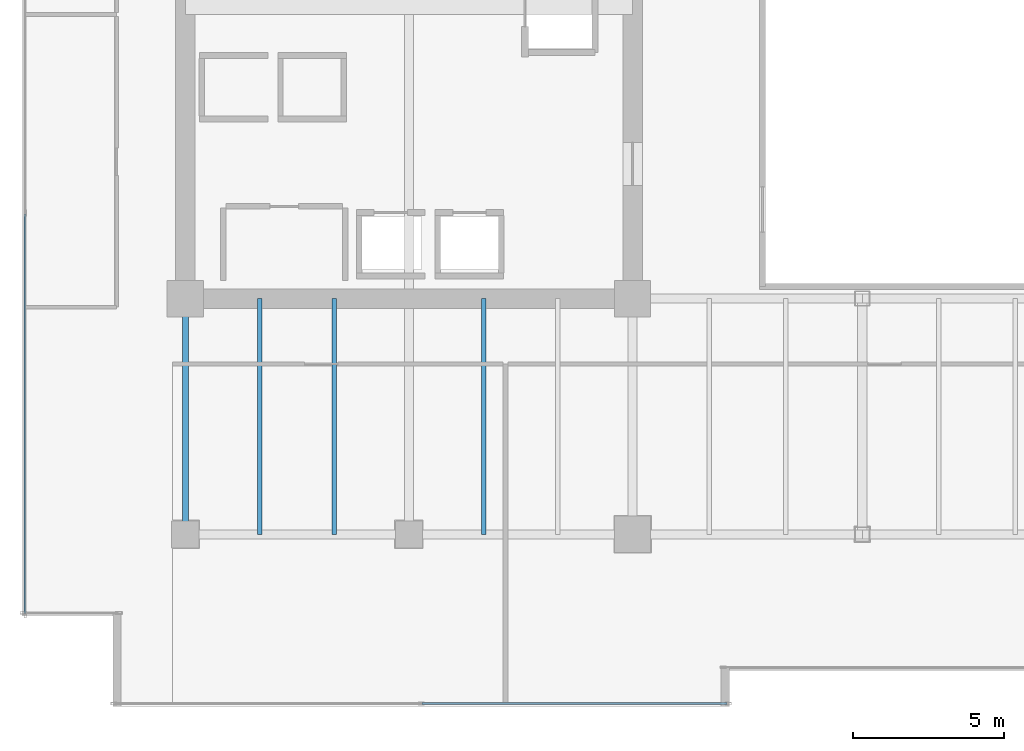
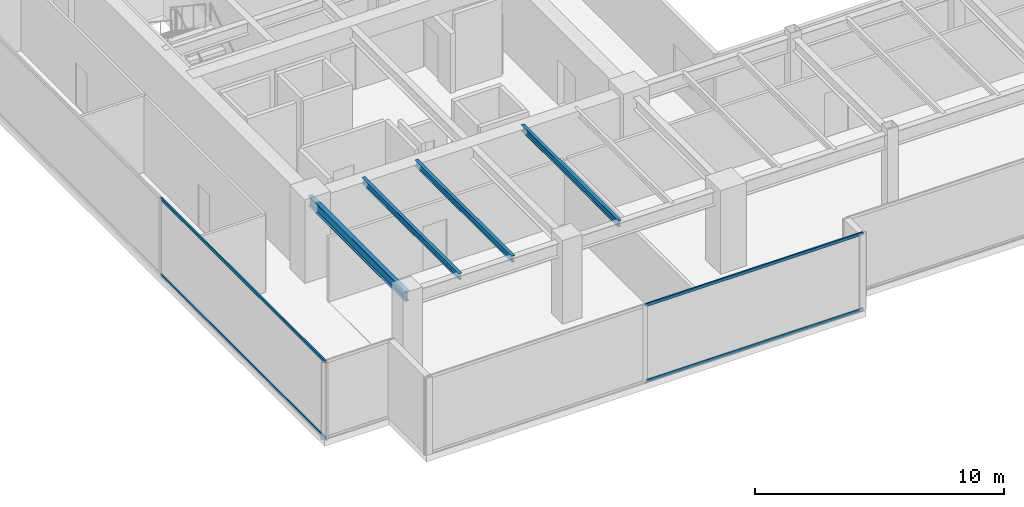
# One storey, part 3 of 33: 4 beams, 4 members, 2 elements without a shape of their own.
"""IFC4 building model written with IfcOpenShell, lengths in metres."""

from ifc_helpers import new_model, si_unit, direction, frame, origin, origin_2d, place, context, subcontext, project, spatial, hollow_rectangle, i_section, extrude, source, transform, mapped, material, layer, layer_set, material_profile, profile_set, type_object, type_shapes, element, aggregate, save


model = new_model("IFC4")

# Units and contexts
model_context = context("Model", 3, precision=1e-05, world=origin(), true_north=direction((0.0, 1.0)))
body_context = subcontext(model_context, "Body", "Model", "MODEL_VIEW")
ifc_project = project(units=[si_unit("LENGTHUNIT", "METRE"), si_unit("AREAUNIT", "SQUARE_METRE"), si_unit("VOLUMEUNIT", "CUBIC_METRE"), si_unit("PLANEANGLEUNIT", "RADIAN"), si_unit("MASSUNIT", "GRAM", prefix="KILO")], contexts=[model_context])

# Site, building, storey
site_placement = place(None, origin())
site = spatial("IfcSite", under=ifc_project, at=site_placement, CompositionType="ELEMENT")
building_placement = place(site_placement, origin())
building = spatial("IfcBuilding", under=site, at=building_placement, Name="Haelvirn Gate Laboratories", CompositionType="ELEMENT")
storey_placement = place(building_placement, frame((0.0, 0.0, 166.60009765625)))
storey = spatial("IfcBuildingStorey", under=building, at=storey_placement, Name="L40", CompositionType="ELEMENT", Elevation=166.60009765625)

# Beams
ifc_material_1 = material(Name="Steel SM355", Category="steel")
ifc_material_profile_1 = material_profile(ifc_material_1, i_section(OverallWidth=0.199951171875, OverallDepth=0.5, WebThickness=0.010009765625, FlangeThickness=0.01611328125, at=origin_2d()), Name="H-500x200x10x16")
ifc_profile_set_1 = profile_set([ifc_material_profile_1], Name="Steel SM355")
beam_type_1 = type_object("IfcBeamType", Name="BM-SP-500", PredefinedType="SPANDREL", material=ifc_profile_set_1)
shared_shape_1 = source(origin(), body_context, "Body", "SweptSolid", [
    extrude(i_section(OverallWidth=0.199951171875, OverallDepth=0.5, WebThickness=0.010009765625, FlangeThickness=0.01611328125, at=origin_2d()), origin(), (0.0, 0.0, 1.0), 7.800048828125),
])
type_shapes(beam_type_1, [shared_shape_1])
beam_placement = place(storey_placement, frame((7.39990234375, 7.0, 3.539794921875), z_axis=(0.0, 1.0, 0.0), x_axis=(-1.0, 0.0, 0.0)))
element("IfcBeam", 1, at=beam_placement, inside=storey, type_object=beam_type_1, Name="L40 Perimeter Spandrel X7.4 (7.0-14.8)", PredefinedType="SPANDREL", context=body_context, shape_type="MappedRepresentation", body=[
    mapped(shared_shape_1, transform((0.0, 0.0, 0.0), scale=1.0)),
])
ifc_material_profile_2 = material_profile(ifc_material_1, i_section(OverallWidth=0.14990234375, OverallDepth=0.300048828125, WebThickness=0.006591796875, FlangeThickness=0.009033203125, at=origin_2d()), Name="H-300x150x6.5x9")
ifc_profile_set_2 = profile_set([ifc_material_profile_2], Name="Steel SM355")
beam_type_2 = type_object("IfcBeamType", Name="BM-J-300", PredefinedType="JOIST", material=ifc_profile_set_2)
shared_shape_2 = source(origin(), body_context, "Body", "SweptSolid", [
    extrude(i_section(OverallWidth=0.14990234375, OverallDepth=0.300048828125, WebThickness=0.006591796875, FlangeThickness=0.009033203125, at=origin_2d()), origin(), (0.0, 0.0, 1.0), 7.800048828125),
])
type_shapes(beam_type_2, [shared_shape_2])
for number, where, z_axis, x_axis, name in (
    (2, (9.8701171875, 7.0, 3.639892578125), (0.0, 1.0, 0.0), (-1.0, 0.0, 0.0), "L40 Composite Lab Joist South X9.87"),
    (3, (12.330078125, 7.0, 3.639892578125), (0.0, 1.0, 0.0), (-1.0, 0.0, 0.0), "L40 Composite Lab Joist South X12.33"),
    (4, (17.27001953125, 7.0, 3.639892578125), (0.0, 1.0, 0.0), (-1.0, 0.0, 0.0), "L40 Composite Lab Joist South X17.27"),
):
    element("IfcBeam", number, at=place(storey_placement, frame(where, z_axis=z_axis, x_axis=x_axis)), inside=storey, type_object=beam_type_2, Name=name, PredefinedType="JOIST", context=body_context, shape_type="MappedRepresentation", body=[
        mapped(shared_shape_2, transform((0.0, 0.0, 0.0), scale=1.0)),
    ])

# Curtain wall, members
ifc_material_2 = material(Name="Anodised bronze unitised aluminium & triple low-E glass", Category="aluminium")
ifc_layer = layer(ifc_material_2, 0.179931640625, Name="CW-SYS-3")
ifc_layer_set = layer_set([ifc_layer], Name="Anodised bronze unitised aluminium & triple low-E glass")
curtain_wall_type = type_object("IfcCurtainWallType", Name="CW-SYS-3", PredefinedType="NOTDEFINED", material=ifc_layer_set)
curtain_wall_1_placement = place(storey_placement, origin())
curtain_wall_1 = element("IfcCurtainWall", 5, at=curtain_wall_1_placement, inside=storey, type_object=curtain_wall_type, Name="L40 Unitised Curtain Wall CW-L40-P0-E00-1", PredefinedType="NOTDEFINED")
ifc_material_3 = material(Name="Extruded aluminium 6063-T6 (anodised bronze)", Category="aluminium")
ifc_material_profile_3 = material_profile(ifc_material_3, hollow_rectangle(XDim=0.06494140625, YDim=0.139892578125, WallThickness=0.00390625, at=origin_2d()), Name="CWT-140x65x4")
ifc_profile_set_3 = profile_set([ifc_material_profile_3], Name="Extruded aluminium 6063-T6 (anodised bronze)")
member_type = type_object("IfcMemberType", Name="CWT-T140", PredefinedType="USERDEFINED", material=ifc_profile_set_3)
shared_shape_3 = source(origin(), body_context, "Body", "SweptSolid", [
    extrude(hollow_rectangle(XDim=0.06494140625, YDim=0.139892578125, WallThickness=0.00390625, at=origin_2d()), origin(), (0.0, 0.0, 1.0), 10.08740234375),
])
member_1_placement = place(storey_placement, frame((15.237548828125, 1.39990234375, 0.032470703125), z_axis=(1.0, 0.0, 0.0), x_axis=(0.0, 1.0, 0.0)))
member_1 = element("IfcMember", 6, at=member_1_placement, type_object=member_type, Name="CW3 transom 2.1", ObjectType="TRANSOM", PredefinedType="USERDEFINED", context=body_context, shape_type="MappedRepresentation", body=[
    mapped(shared_shape_3, transform((0.0, 0.0, 0.0), scale=1.0)),
])
member_2_placement = place(storey_placement, frame((15.237548828125, 1.39990234375, 3.75732421875), z_axis=(1.0, 0.0, 0.0), x_axis=(0.0, 1.0, 0.0)))
member_2 = element("IfcMember", 7, at=member_2_placement, type_object=member_type, Name="CW3 transom 2.2", ObjectType="TRANSOM", PredefinedType="USERDEFINED", context=body_context, shape_type="MappedRepresentation", body=[
    mapped(shared_shape_3, transform((0.0, 0.0, 0.0), scale=1.0)),
])
aggregate(curtain_wall_1, [member_1, member_2])

curtain_wall_2_placement = place(storey_placement, origin())
curtain_wall_2 = element("IfcCurtainWall", 8, at=curtain_wall_2_placement, inside=storey, type_object=curtain_wall_type, Name="L40 Unitised Curtain Wall CW-L40-P0-E17", PredefinedType="NOTDEFINED")
shared_shape_4 = source(origin(), body_context, "Body", "SweptSolid", [
    extrude(hollow_rectangle(XDim=0.06494140625, YDim=0.139892578125, WallThickness=0.00390625, at=origin_2d()), origin(), (0.0, 0.0, 1.0), 13.220947265625),
])
type_shapes(member_type, [shared_shape_3, shared_shape_4])
member_3_placement = place(storey_placement, frame((2.10009765625, 17.595947265625, 0.032470703125), z_axis=(0.0, -1.0, 0.0), x_axis=(1.0, 0.0, 0.0)))
member_3 = element("IfcMember", 9, at=member_3_placement, type_object=member_type, Name="CW3 transom 3.1", ObjectType="TRANSOM", PredefinedType="USERDEFINED", context=body_context, shape_type="MappedRepresentation", body=[
    mapped(shared_shape_4, transform((0.0, 0.0, 0.0), scale=1.0)),
])
member_4_placement = place(storey_placement, frame((2.10009765625, 17.595947265625, 3.75732421875), z_axis=(0.0, -1.0, 0.0), x_axis=(1.0, 0.0, 0.0)))
member_4 = element("IfcMember", 10, at=member_4_placement, type_object=member_type, Name="CW3 transom 3.2", ObjectType="TRANSOM", PredefinedType="USERDEFINED", context=body_context, shape_type="MappedRepresentation", body=[
    mapped(shared_shape_4, transform((0.0, 0.0, 0.0), scale=1.0)),
])
aggregate(curtain_wall_2, [member_3, member_4])

save(model, "model.ifc")
